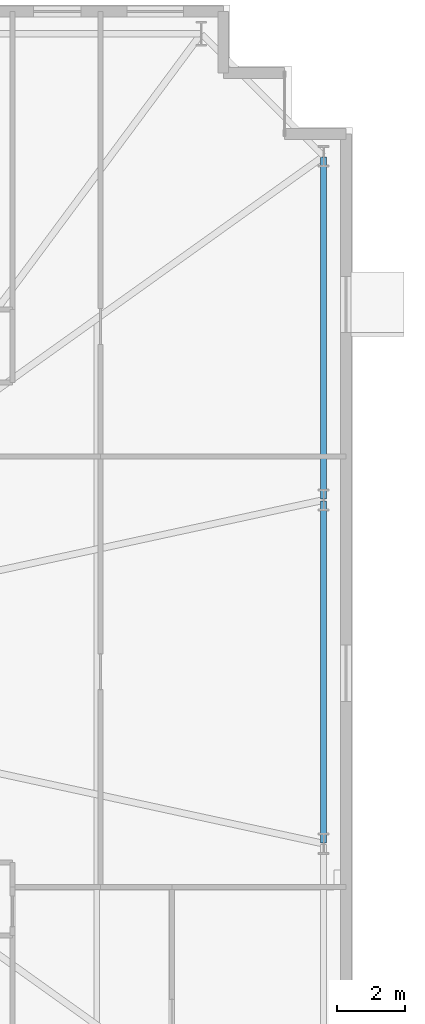
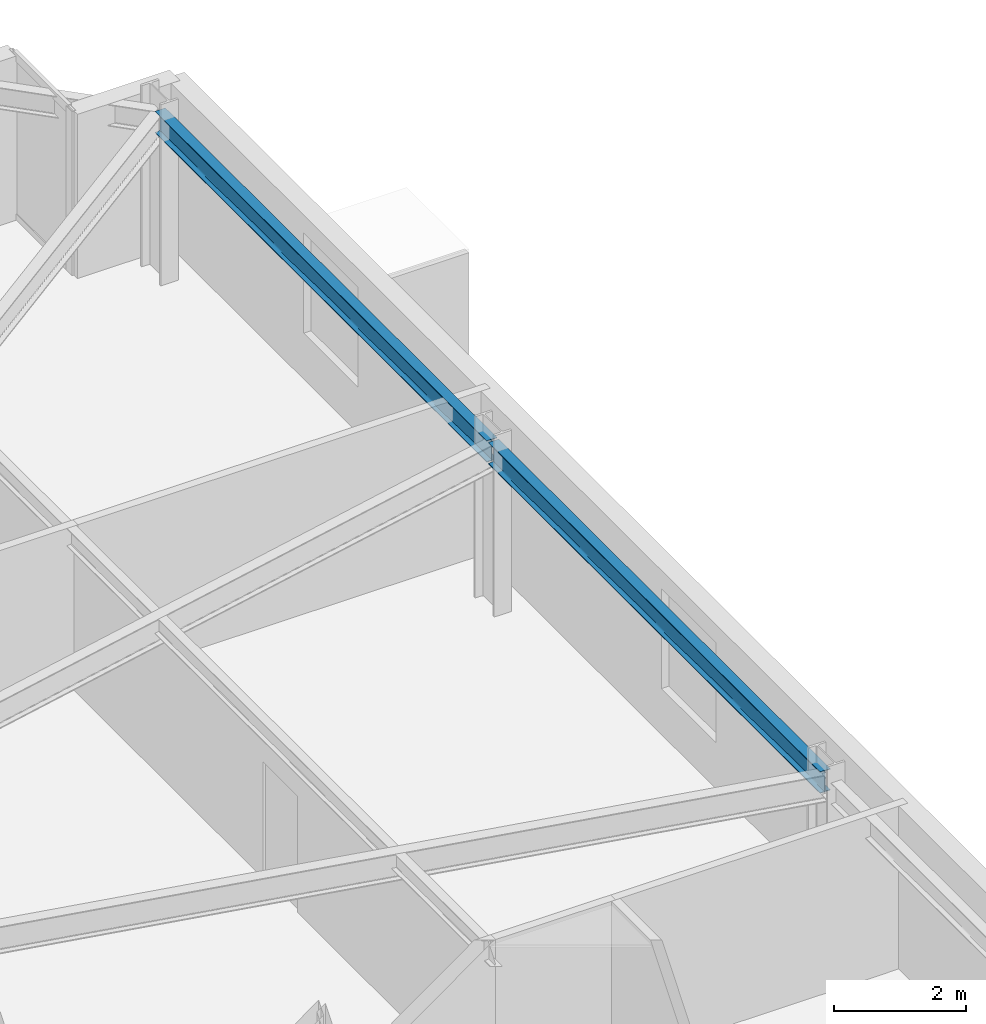
# One storey, part 11 of 21: 2 beams.
"""IFC4 building model written with IfcOpenShell, lengths in metres."""

from ifc_helpers import new_model, si_unit, direction, frame, origin, origin_2d, place, context, subcontext, project, spatial, i_section, extrude, material, material_profile, profile_set, type_object, element, save


model = new_model("IFC4")

# Units and contexts
model_context = context("Model", 3, precision=1e-05, world=origin(), true_north=direction((0.0, 1.0)))
body_context = subcontext(model_context, "Body", "Model", "MODEL_VIEW")
ifc_project = project(units=[si_unit("LENGTHUNIT", "METRE"), si_unit("AREAUNIT", "SQUARE_METRE"), si_unit("VOLUMEUNIT", "CUBIC_METRE"), si_unit("PLANEANGLEUNIT", "RADIAN"), si_unit("MASSUNIT", "GRAM", prefix="KILO")], contexts=[model_context])

# Site, building, storey
site_placement = place(None, origin())
site = spatial("IfcSite", under=ifc_project, at=site_placement, CompositionType="ELEMENT")
building_placement = place(site_placement, origin())
building = spatial("IfcBuilding", under=site, at=building_placement, Name="Qobustan Lattice House", CompositionType="ELEMENT")
storey_placement = place(building_placement, frame((0.0, 0.0, 40.39990234375)))
storey = spatial("IfcBuildingStorey", under=building, at=storey_placement, Name="L10", CompositionType="ELEMENT", Elevation=40.39990234375)

# Beams
ifc_material = material(Name="Steel S355", Category="steel")
ifc_material_profile = material_profile(ifc_material, i_section(OverallWidth=0.179931640625, OverallDepth=0.39990234375, WebThickness=0.008544921875, FlangeThickness=0.013427734375, FilletRadius=0.02099609375, at=origin_2d()), Name="IPE400")
ifc_profile_set = profile_set([ifc_material_profile], Name="Steel S355")
beam_type = type_object("IfcBeamType", Name="BM-SPD-IPE400", PredefinedType="SPANDREL", material=ifc_profile_set)
beam_1_placement = place(storey_placement, frame((32.14990234375, -5.02490234375, 2.835205078125), z_axis=(0.0, 1.0, 0.0), x_axis=(-1.0, 0.0, 0.0)))
element("IfcBeam", 1, at=beam_1_placement, inside=storey, type_object=beam_type, Name="L10 perimeter spandrel E2-E3", PredefinedType="SPANDREL", context=body_context, shape_type="SweptSolid", body=[
    extrude(i_section(OverallWidth=0.179931640625, OverallDepth=0.39990234375, WebThickness=0.008544921875, FlangeThickness=0.013427734375, FilletRadius=0.02099609375, at=origin_2d()), origin(), (0.0, 0.0, 1.0), 10.0498046875),
])
beam_2_placement = place(storey_placement, frame((32.14990234375, 5.074951171875, 2.835205078125), z_axis=(0.0, 1.0, 0.0), x_axis=(-1.0, 0.0, 0.0)))
element("IfcBeam", 2, at=beam_2_placement, inside=storey, type_object=beam_type, Name="L10 perimeter spandrel E3-E4", PredefinedType="SPANDREL", context=body_context, shape_type="SweptSolid", body=[
    extrude(i_section(OverallWidth=0.179931640625, OverallDepth=0.39990234375, WebThickness=0.008544921875, FlangeThickness=0.013427734375, FilletRadius=0.02099609375, at=origin_2d()), origin(), (0.0, 0.0, 1.0), 10.050048828125),
])

save(model, "model.ifc")
